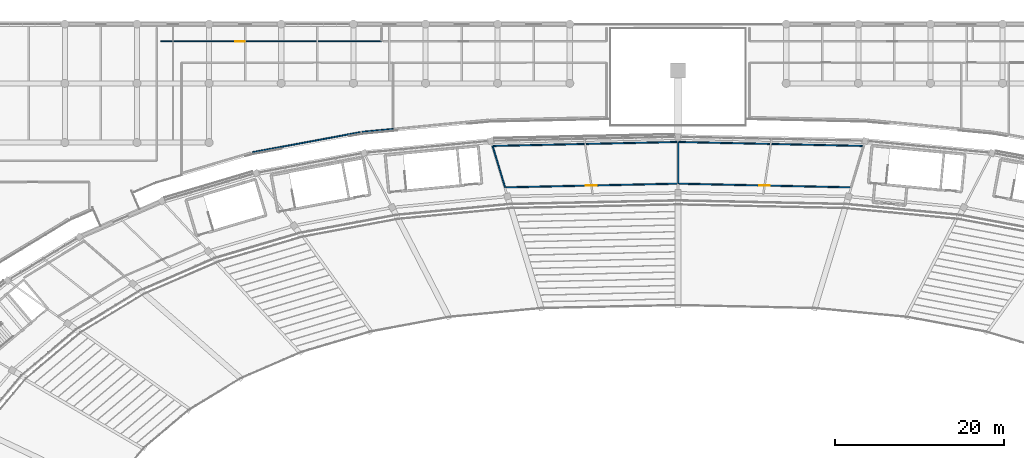
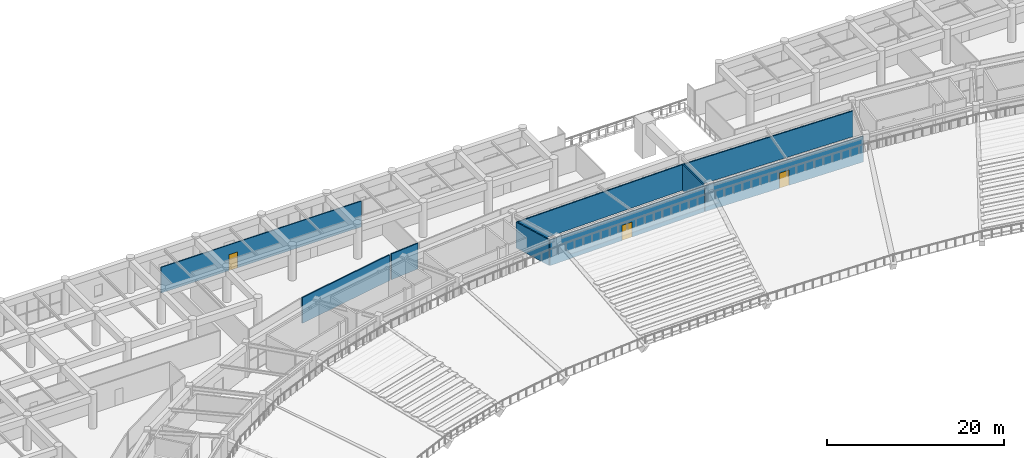
# One storey, part 104 of 137: 9 walls, 3 doors, 3 openings.
"""IFC4 building model written with IfcOpenShell, lengths in metres."""

import ifcopenshell
import ifcopenshell.guid

model = None  # the IFC model being written
_history = None  # IfcOwnerHistory: only IFC2X3 demands one
_inside = {}  # id of a spatial element -> (the spatial element, [elements in it])
_under = {}  # id of a project, library or spatial element -> (it, [spatial elements below it])
_declared = {}  # id of a project -> (the project, [libraries it declares])
_typed = {}  # id of a type object -> (the type object, [elements of that type])
_made_of = {}  # id of a material, layer set ... -> (it, [elements and type objects made of it])


def new_model(schema):
    """Start an empty IFC model of exactly this schema.

    Asked for "IFC4X3", IfcOpenShell would pick the latest addendum, in which some entities
    have other attributes; the version numbers below select the first issue.
    IFC2X3 requires an IfcOwnerHistory on every rooted entity: one is made here for all.
    """
    global model, _history
    if schema == "IFC4X3":
        model = ifcopenshell.file(schema_version=(4, 3, 0, 0))
    else:
        model = ifcopenshell.file(schema=schema)
    _inside.clear()
    _under.clear()
    _declared.clear()
    _typed.clear()
    _made_of.clear()
    _history = None
    if model.schema == "IFC2X3":
        org = make("IfcOrganization", Name="unknown")
        user = make(
            "IfcPersonAndOrganization",
            ThePerson=make("IfcPerson", FamilyName="unknown"),
            TheOrganization=org,
        )
        app = make(
            "IfcApplication",
            ApplicationDeveloper=org,
            Version="unknown",
            ApplicationFullName="unknown",
            ApplicationIdentifier="unknown",
        )
        _history = make(
            "IfcOwnerHistory",
            OwningUser=user,
            OwningApplication=app,
            ChangeAction="ADDED",
            CreationDate=0,
        )
    return model


def make(cls, **values):
    """One entity of the class cls with the attributes given. An attribute that is None is left unset."""
    return model.create_entity(
        cls, **{name: value for name, value in values.items() if value is not None}
    )


def rooted(cls, **values):
    """An entity with a GlobalId (a new one), such as an element, a storey or a relation."""
    return make(cls, GlobalId=ifcopenshell.guid.new(), OwnerHistory=_history, **values)


def si_unit(unit_type, name, prefix=None):
    """IfcSIUnit, for example si_unit("LENGTHUNIT", "METRE", prefix="MILLI")."""
    return make("IfcSIUnit", UnitType=unit_type, Prefix=prefix, Name=name)


def assignment(units):
    """IfcUnitAssignment: the units of a project."""
    return None if units is None else make("IfcUnitAssignment", Units=units)


def point(xyz):
    """IfcCartesianPoint."""
    return None if xyz is None else make("IfcCartesianPoint", Coordinates=xyz)


def direction(xyz):
    """IfcDirection."""
    return None if xyz is None else make("IfcDirection", DirectionRatios=xyz)


def frame(location, z_axis=None, x_axis=None):
    """IfcAxis2Placement3D, a coordinate frame: its origin and axes. An axis left out is left unset."""
    return make(
        "IfcAxis2Placement3D",
        Location=point(location),
        Axis=direction(z_axis),
        RefDirection=direction(x_axis),
    )


def frame_2d(location, x_axis=None):
    """IfcAxis2Placement2D, a coordinate frame in the plane: its origin and x axis."""
    return make(
        "IfcAxis2Placement2D", Location=point(location), RefDirection=direction(x_axis)
    )


def origin():
    """The frame at (0, 0, 0) with its axes left unset."""
    return frame((0.0, 0.0, 0.0))


def place(relative_to, where):
    """IfcLocalPlacement: puts the frame where relative to a parent placement (None: the world)."""
    return make(
        "IfcLocalPlacement", PlacementRelTo=relative_to, RelativePlacement=where
    )


def context(
    kind, dimensions, precision=None, world=None, true_north=None, identifier=None
):
    """IfcGeometricRepresentationContext, for example the 3D "Model" context."""
    return make(
        "IfcGeometricRepresentationContext",
        ContextIdentifier=identifier,
        ContextType=kind,
        CoordinateSpaceDimension=dimensions,
        Precision=precision,
        WorldCoordinateSystem=world,
        TrueNorth=true_north,
    )


def subcontext(parent, identifier, kind, view, scale=None):
    """IfcGeometricRepresentationSubContext, for example "Body" below "Model"."""
    return make(
        "IfcGeometricRepresentationSubContext",
        ContextIdentifier=identifier,
        ContextType=kind,
        ParentContext=parent,
        TargetScale=scale,
        TargetView=view,
    )


def project(units=None, contexts=None):
    """IfcProject with its units and contexts."""
    return rooted(
        "IfcProject",
        Name="project",
        RepresentationContexts=contexts,
        UnitsInContext=assignment(units),
    )


def spatial(cls, under=None, at=None, **own):
    """A site, building, storey or space (cls), placed at a placement, below another one or the project."""
    s = rooted(cls, ObjectPlacement=at, **own)
    if under is not None:
        _under.setdefault(under.id(), (under, []))[1].append(s)
    return s


def profile(cls, at=None, kind="AREA", **sizes):
    """A parametric profile (cls). Its sizes go by their IFC names, for example OverallWidth=200.0."""
    return make(cls, ProfileType=kind, Position=at, **sizes)


def rectangle(**sizes):
    """IfcRectangleProfileDef."""
    return profile("IfcRectangleProfileDef", **sizes)


def extrude(swept, where, along, depth):
    """IfcExtrudedAreaSolid: the profile swept, set in the frame where, extruded along a direction by depth."""
    return make(
        "IfcExtrudedAreaSolid",
        SweptArea=swept,
        Position=where,
        ExtrudedDirection=direction(along),
        Depth=depth,
    )


def shape(context_of_items, identifier, shape_type, items):
    """IfcShapeRepresentation: the items that make up one representation, for example the "Body"."""
    return make(
        "IfcShapeRepresentation",
        ContextOfItems=context_of_items,
        RepresentationIdentifier=identifier,
        RepresentationType=shape_type,
        Items=items,
    )


def material(Name=None, Category=None):
    """IfcMaterial."""
    return make("IfcMaterial", Name=Name, Category=Category)


def layer(
    of_material, thickness, ventilated=None, Name=None, Category=None, Priority=None
):
    """IfcMaterialLayer: one layer of a wall or slab, of a material (None: an air gap)."""
    return make(
        "IfcMaterialLayer",
        Material=of_material,
        LayerThickness=thickness,
        IsVentilated=ventilated,
        Name=Name,
        Category=Category,
        Priority=Priority,
    )


def layer_set(layers, Name=None):
    """IfcMaterialLayerSet."""
    return make("IfcMaterialLayerSet", MaterialLayers=layers, LayerSetName=Name)


def made_of(thing, what):
    """Note that an element or type object is made of a material, layer set ...; save() writes the relation."""
    if what is not None:
        _made_of.setdefault(what.id(), (what, []))[1].append(thing)
    return thing


def type_object(cls, material=None, **own):
    """A type object (cls), such as IfcWallType, which elements share."""
    return made_of(rooted(cls, **own), material)


def element(
    cls,
    number,
    at=None,
    inside=None,
    cuts=None,
    type_object=None,
    material=None,
    context=None,
    identifier="Body",
    shape_type=None,
    held_by="IfcProductDefinitionShape",
    body=None,
    shapes=None,
    **own,
):
    """One element of the class cls, such as IfcWall. Its Tag is "e" and its number.

    at: its placement. inside: the storey or other place that contains it. cuts: it is an
    opening in that element (IfcRelVoidsElement). A single representation is given by context,
    identifier, shape_type and body (its items); several are given by shapes. held_by: the class
    of the entity that holds the representations. save() writes the other relations.
    """
    e = rooted(cls, Tag="e%d" % number, ObjectPlacement=at, **own)
    if body is not None:
        shapes = [shape(context, identifier, shape_type, body)]
    if shapes is not None:
        e.Representation = make(held_by, Representations=shapes)
    if inside is not None:
        _inside.setdefault(inside.id(), (inside, []))[1].append(e)
    if cuts is not None:
        rooted(
            "IfcRelVoidsElement", RelatingBuildingElement=cuts, RelatedOpeningElement=e
        )
    if type_object is not None:
        _typed.setdefault(type_object.id(), (type_object, []))[1].append(e)
    return made_of(e, material)


def fill(opening, filler):
    """IfcRelFillsElement: the door or window that sits in an opening."""
    return rooted(
        "IfcRelFillsElement",
        RelatingOpeningElement=opening,
        RelatedBuildingElement=filler,
    )


def aggregate(whole, parts):
    """IfcRelAggregates: a whole, such as a stair, and the parts it consists of."""
    return rooted("IfcRelAggregates", RelatingObject=whole, RelatedObjects=parts)


def save(model, path):
    """Write the relations noted so far, then the file.

    IfcRelAggregates (storeys below a building ...), IfcRelContainedInSpatialStructure (elements
    in a storey), IfcRelDefinesByType, IfcRelAssociatesMaterial and IfcRelDeclares: one each for
    every whole, place, type object, material and project.
    """
    for whole, parts in _under.values():
        aggregate(whole, parts)
    for where, things in _inside.values():
        rooted(
            "IfcRelContainedInSpatialStructure",
            RelatedElements=things,
            RelatingStructure=where,
        )
    for kind, things in _typed.values():
        rooted("IfcRelDefinesByType", RelatedObjects=things, RelatingType=kind)
    for what, things in _made_of.values():
        rooted("IfcRelAssociatesMaterial", RelatedObjects=things, RelatingMaterial=what)
    for by, libraries in _declared.values():
        rooted("IfcRelDeclares", RelatingContext=by, RelatedDefinitions=libraries)
    model.write(path)


model = new_model("IFC4")

# Units and contexts
model_context = context("Model", 3, precision=1e-05, world=origin(), true_north=direction((0.0, 1.0)))
body_context = subcontext(model_context, "Body", "Model", "MODEL_VIEW")
ifc_project = project(units=[si_unit("LENGTHUNIT", "METRE"), si_unit("AREAUNIT", "SQUARE_METRE"), si_unit("VOLUMEUNIT", "CUBIC_METRE"), si_unit("PLANEANGLEUNIT", "RADIAN"), si_unit("MASSUNIT", "GRAM", prefix="KILO")], contexts=[model_context])

# Site, building, storey
site_placement = place(None, origin())
site = spatial("IfcSite", under=ifc_project, at=site_placement, CompositionType="ELEMENT")
building_placement = place(site_placement, origin())
building = spatial("IfcBuilding", under=site, at=building_placement, Name="Mphavela Belvedere Stadium", CompositionType="ELEMENT")
storey_placement = place(building_placement, frame((0.0, 0.0, 19.199951171875)))
storey = spatial("IfcBuildingStorey", under=building, at=storey_placement, Name="L04", CompositionType="ELEMENT", Elevation=19.199951171875)

# Wall, opening, door
ifc_material_1 = material(Name="Moisture-resistant sanitary partition assembly")
ifc_layer_1 = layer(ifc_material_1, 0.125)
ifc_layer_set_1 = layer_set([ifc_layer_1], Name="Moisture-resistant sanitary partition assembly")
wall_type_1 = type_object("IfcWallType", Name="WAL-PART-125", PredefinedType="PARTITIONING", material=ifc_layer_set_1)
wall_1_placement = place(storey_placement, frame((80.0, 171.9599609375, 0.0), z_axis=(0.0, 0.0, 1.0), x_axis=(-1.0, 0.0, 0.0)))
wall_1 = element("IfcWall", 1, at=wall_1_placement, inside=storey, type_object=wall_type_1, Name="Room L04-117 corridor partition", PredefinedType="PARTITIONING", context=body_context, shape_type="SweptSolid", body=[
    extrude(rectangle(XDim=26.10009765625, YDim=0.125, at=frame_2d((13.050048828125, 0.0))), origin(), (0.0, 0.0, 1.0), 3.550048828125),
])
opening_1_placement = place(wall_1_placement, frame((16.154052734375, 0.0, 0.0)))
opening_1 = element("IfcOpeningElement", 2, at=opening_1_placement, cuts=wall_1, Name="Opening ID-486", PredefinedType="OPENING", context=body_context, shape_type="SweptSolid", body=[
    extrude(rectangle(XDim=1.10009765625, YDim=2.199951171875, at=frame_2d((0.550048828125, 1.10009765625))), frame((0.0, 0.072509765625, 0.0), z_axis=(0.0, -1.0, 0.0), x_axis=(1.0, 0.0, 0.0)), (0.0, 0.0, 1.0), 0.14501953125),
])
ifc_material_2 = material(Name="Hardwood acoustic timber doorset", Category="wood")
door_type_1 = type_object("IfcDoorType", Name="DR-INT-18", OperationType="NOTDEFINED", PredefinedType="DOOR", material=ifc_material_2)
door_1_placement = place(opening_1_placement, origin())
door_1 = element("IfcDoor", 3, at=door_1_placement, inside=storey, type_object=door_type_1, Name="Room L04-117 entrance door ID-486", OperationType="SINGLE_SWING_RIGHT", OverallHeight=2.199951171875, OverallWidth=1.10009765625, PredefinedType="DOOR", context=body_context, shape_type="SweptSolid", body=[
    extrude(rectangle(XDim=1.10009765625, YDim=2.199951171875, at=frame_2d((0.550048828125, 1.10009765625))), frame((0.0, 0.02490234375, 0.0), z_axis=(0.0, -1.0, 0.0), x_axis=(1.0, 0.0, 0.0)), (0.0, 0.0, 1.0), 0.050048828125),
])
fill(opening_1, door_1)

ifc_material_3 = material(Name="Acoustic gypsum stud partition assembly")
ifc_layer_2 = layer(ifc_material_3, 0.14990234375)
ifc_layer_set_2 = layer_set([ifc_layer_2], Name="Acoustic gypsum stud partition assembly")
wall_type_2 = type_object("IfcWallType", Name="WAL-PART-150", PredefinedType="PARTITIONING", material=ifc_layer_set_2)
wall_2_placement = place(storey_placement, frame((135.416015625, 154.71044921875, 0.0), z_axis=(0.0, 0.0, 1.0), x_axis=(-0.999768282717, 0.021526283298, 0.0)))
wall_2 = element("IfcWall", 4, at=wall_2_placement, inside=storey, type_object=wall_type_2, Name="Room L04-51 corridor partition", PredefinedType="PARTITIONING", context=body_context, shape_type="SweptSolid", body=[
    extrude(rectangle(XDim=20.380615234375, YDim=0.14990234375, at=frame_2d((10.1904296875, 0.0))), origin(), (0.0, 0.0, 1.0), 3.550048828125),
])
opening_2_placement = place(wall_2_placement, frame((9.560302734375, 0.0, 0.0)))
opening_2 = element("IfcOpeningElement", 5, at=opening_2_placement, cuts=wall_2, Name="Opening ID-334", PredefinedType="OPENING", context=body_context, shape_type="SweptSolid", body=[
    extrude(rectangle(XDim=1.260009765625, YDim=2.10009765625, at=frame_2d((0.6298828125, 1.050048828125))), frame((0.0, 0.0849609375, 0.0), z_axis=(0.0, -1.0, 0.0), x_axis=(1.0, 0.0, 0.0)), (0.0, 0.0, 1.0), 0.169921875),
])
ifc_material_4 = material(Name="Hardwood acoustic timber doorset", Category="wood")
door_type_2 = type_object("IfcDoorType", Name="DR-INT-10", OperationType="NOTDEFINED", PredefinedType="DOOR", material=ifc_material_4)
door_2_placement = place(opening_2_placement, origin())
door_2 = element("IfcDoor", 6, at=door_2_placement, inside=storey, type_object=door_type_2, Name="Room L04-51 entrance door ID-334", OperationType="SINGLE_SWING_RIGHT", OverallHeight=2.10009765625, OverallWidth=1.260009765625, PredefinedType="DOOR", context=body_context, shape_type="SweptSolid", body=[
    extrude(rectangle(XDim=1.260009765625, YDim=2.10009765625, at=frame_2d((0.6298828125, 1.050048828125))), frame((0.0, 0.02490234375, 0.0), z_axis=(0.0, -1.0, 0.0), x_axis=(1.0, 0.0, 0.0)), (0.0, 0.0, 1.0), 0.050048828125),
])
fill(opening_2, door_2)

wall_3_placement = place(storey_placement, frame((114.9599609375, 155.149169921875, 0.0), z_axis=(0.0, 0.0, 1.0), x_axis=(-0.999768282717, -0.021526283298, 0.0)))
wall_3 = element("IfcWall", 7, at=wall_3_placement, inside=storey, type_object=wall_type_2, Name="Room L04-53 corridor partition", PredefinedType="PARTITIONING", context=body_context, shape_type="SweptSolid", body=[
    extrude(rectangle(XDim=20.380615234375, YDim=0.14990234375, at=frame_2d((10.1904296875, 0.0))), origin(), (0.0, 0.0, 1.0), 3.550048828125),
])
opening_3_placement = place(wall_3_placement, frame((9.530517578125, 0.0, 0.0)))
opening_3 = element("IfcOpeningElement", 8, at=opening_3_placement, cuts=wall_3, Name="Opening ID-335", PredefinedType="OPENING", context=body_context, shape_type="SweptSolid", body=[
    extrude(rectangle(XDim=1.320068359375, YDim=2.10009765625, at=frame_2d((0.66015625, 1.050048828125))), frame((0.0, 0.0849609375, 0.0), z_axis=(0.0, -1.0, 0.0), x_axis=(1.0, 0.0, 0.0)), (0.0, 0.0, 1.0), 0.169921875),
])
ifc_material_5 = material(Name="Hardwood acoustic timber doorset", Category="wood")
door_type_3 = type_object("IfcDoorType", Name="DR-INT-11", OperationType="NOTDEFINED", PredefinedType="DOOR", material=ifc_material_5)
door_3_placement = place(opening_3_placement, origin())
door_3 = element("IfcDoor", 9, at=door_3_placement, inside=storey, type_object=door_type_3, Name="Room L04-53 entrance door ID-335", OperationType="SINGLE_SWING_LEFT", OverallHeight=2.10009765625, OverallWidth=1.320068359375, PredefinedType="DOOR", context=body_context, shape_type="SweptSolid", body=[
    extrude(rectangle(XDim=1.320068359375, YDim=2.10009765625, at=frame_2d((0.66015625, 1.050048828125))), frame((0.0, 0.02490234375, 0.0), z_axis=(0.0, -1.0, 0.0), x_axis=(1.0, 0.0, 0.0)), (0.0, 0.0, 1.0), 0.050048828125),
])
fill(opening_3, door_3)

# Walls
wall_4_placement = place(storey_placement, frame((115.0400390625, 155.149169921875, 0.0), z_axis=(0.0, 0.0, 1.0), x_axis=(0.0, 1.0, 0.0)))
element("IfcWall", 10, at=wall_4_placement, inside=storey, type_object=wall_type_2, Name="Room divider partition L04-0600", PredefinedType="PARTITIONING", context=body_context, shape_type="SweptSolid", body=[
    extrude(rectangle(XDim=4.923828125, YDim=0.14990234375, at=frame_2d((2.4619140625, 0.0))), origin(), (0.0, 0.0, 1.0), 3.550048828125),
])
wall_5_placement = place(storey_placement, frame((115.0400390625, 160.072998046875, 0.0), z_axis=(0.0, 0.0, 1.0), x_axis=(0.99976837209, -0.021522132079, 0.0)))
element("IfcWall", 11, at=wall_5_placement, inside=storey, type_object=wall_type_2, Name="Room divider partition L04-0601", PredefinedType="PARTITIONING", context=body_context, shape_type="SweptSolid", body=[
    extrude(rectangle(XDim=21.859375, YDim=0.14990234375, at=frame_2d((10.9296875, 0.0))), origin(), (0.0, 0.0, 1.0), 3.550048828125),
])
wall_6_placement = place(storey_placement, frame((94.583984375, 154.71044921875, 0.0), z_axis=(0.0, 0.0, 1.0), x_axis=(-0.289258185314, 0.957251117643, 0.0)))
element("IfcWall", 12, at=wall_6_placement, inside=storey, type_object=wall_type_2, Name="Room divider partition L04-0603", PredefinedType="PARTITIONING", context=body_context, shape_type="SweptSolid", body=[
    extrude(rectangle(XDim=5.110595703125, YDim=0.14990234375, at=frame_2d((2.55517578125, 0.0))), origin(), (0.0, 0.0, 1.0), 3.550048828125),
])
wall_7_placement = place(storey_placement, frame((93.105712890625, 159.6025390625, 0.0), z_axis=(0.0, 0.0, 1.0), x_axis=(0.99976837209, 0.021522132079, 0.0)))
element("IfcWall", 13, at=wall_7_placement, inside=storey, type_object=wall_type_2, Name="Room divider partition L04-0604", PredefinedType="PARTITIONING", context=body_context, shape_type="SweptSolid", body=[
    extrude(rectangle(XDim=21.859375, YDim=0.14990234375, at=frame_2d((10.9296875, 0.0))), origin(), (0.0, 0.0, 1.0), 3.550048828125),
])
wall_8_placement = place(storey_placement, frame((77.469482421875, 161.22509765625, 0.0), z_axis=(0.0, 0.0, 1.0), x_axis=(-0.983094545276, -0.183098648406, 0.0)))
element("IfcWall", 14, at=wall_8_placement, inside=storey, type_object=wall_type_2, Name="Room divider partition L04-1116", PredefinedType="PARTITIONING", context=body_context, shape_type="SweptSolid", body=[
    extrude(rectangle(XDim=12.947265625, YDim=0.14990234375, at=frame_2d((6.4736328125, 0.0))), origin(), (0.0, 0.0, 1.0), 3.550048828125),
])
wall_9_placement = place(storey_placement, frame((81.35498046875, 161.605712890625, 0.0), z_axis=(0.0, 0.0, 1.0), x_axis=(-0.995481155674, -0.094959300221, 0.0)))
element("IfcWall", 15, at=wall_9_placement, inside=storey, type_object=wall_type_2, Name="Room divider partition L04-1120", PredefinedType="PARTITIONING", context=body_context, shape_type="SweptSolid", body=[
    extrude(rectangle(XDim=3.681640625, YDim=0.14990234375, at=frame_2d((1.8408203125, 0.0))), origin(), (0.0, 0.0, 1.0), 3.550048828125),
])

save(model, "model.ifc")
